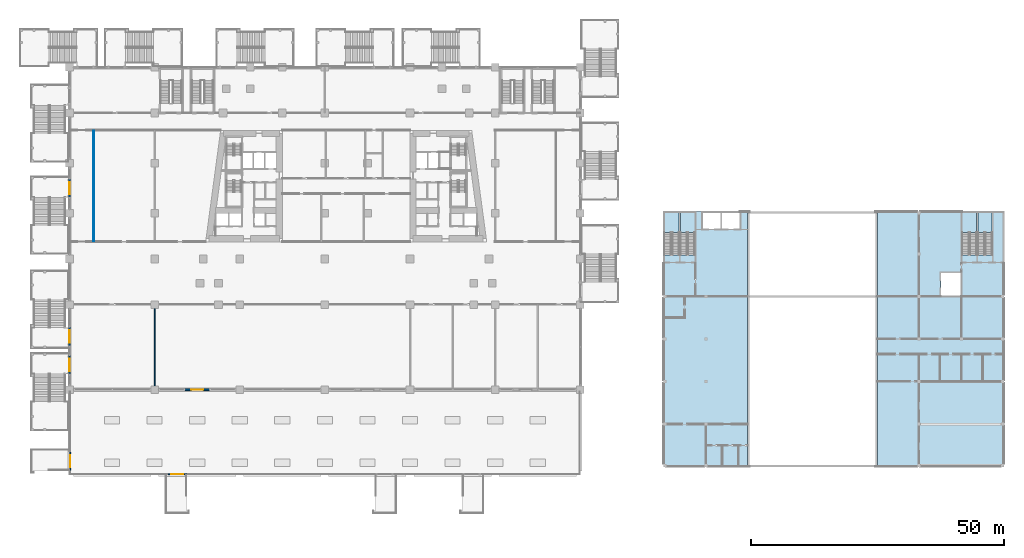
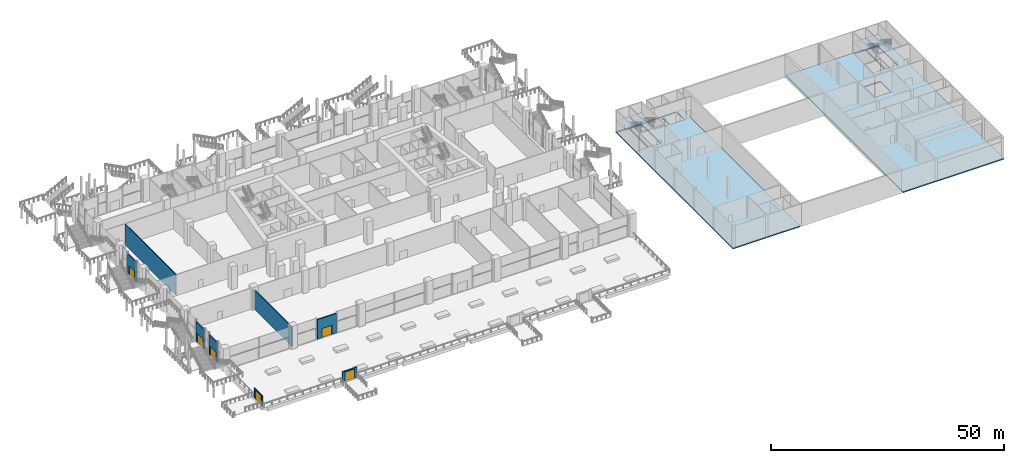
# One storey, part 19 of 47: 8 walls, 6 doors, 6 slabs, 6 openings, 4 elements without a shape of their own.
"""IFC4 building model written with IfcOpenShell, lengths in metres."""

from ifc_helpers import new_model, si_unit, direction, frame, frame_2d, origin, place, context, subcontext, project, spatial, polyline, rectangle, outline, extrude, material, layer, layer_set, type_object, element, fill, aggregate, save


model = new_model("IFC4")

# Units and contexts
model_context = context("Model", 3, precision=1e-05, world=origin(), true_north=direction((0.0, 1.0)))
body_context = subcontext(model_context, "Body", "Model", "MODEL_VIEW")
ifc_project = project(units=[si_unit("LENGTHUNIT", "METRE"), si_unit("AREAUNIT", "SQUARE_METRE"), si_unit("VOLUMEUNIT", "CUBIC_METRE"), si_unit("PLANEANGLEUNIT", "RADIAN"), si_unit("MASSUNIT", "GRAM", prefix="KILO")], contexts=[model_context])

# Site, building, storey
site_placement = place(None, origin())
site = spatial("IfcSite", under=ifc_project, at=site_placement, CompositionType="ELEMENT")
building_placement = place(site_placement, origin())
building = spatial("IfcBuilding", under=site, at=building_placement, Name="Candeia Pilgrim Tower and Theatre", CompositionType="ELEMENT")
storey_placement = place(building_placement, frame((0.0, 0.0, 23.0)))
storey = spatial("IfcBuildingStorey", under=building, at=storey_placement, Name="L03", CompositionType="ELEMENT", Elevation=23.0)

# Stair, slab
ifc_material_1 = material(Name="Concrete C35/45", Category="concrete")
stair_type = type_object("IfcStairType", Name="Theatre stair", PredefinedType="HALF_TURN_STAIR", material=ifc_material_1)
stair_1_placement = place(storey_placement, origin())
stair_1 = element("IfcStair", 1, at=stair_1_placement, inside=storey, type_object=stair_type, Name="L03 Theatre stair S1", PredefinedType="HALF_TURN_STAIR")
ifc_layer_1 = layer(ifc_material_1, 0.199951171875)
ifc_layer_set_1 = layer_set([ifc_layer_1], Name="Stair landing 200")
slab_type_1 = type_object("IfcSlabType", Name="Stair landing 200", PredefinedType="LANDING", material=ifc_layer_set_1)
slab_1_placement = place(storey_placement, frame((0.0, 0.0, 2.800048828125)))
slab_1 = element("IfcSlab", 2, at=slab_1_placement, type_object=slab_type_1, Name="TS1 landing 1", PredefinedType="LANDING", context=body_context, shape_type="SweptSolid", body=[
    extrude(outline(polyline([(179.10009765625, 112.2548828125), (179.10009765625, 116.14990234375), (176.125, 116.14990234375), (176.125, 112.2548828125), (179.10009765625, 112.2548828125)])), origin(), (0.0, 0.0, 1.0), 0.199951171875),
])
aggregate(stair_1, [slab_1])

stair_2_placement = place(storey_placement, origin())
stair_2 = element("IfcStair", 3, at=stair_2_placement, inside=storey, type_object=stair_type, Name="L03 Theatre stair S2", PredefinedType="HALF_TURN_STAIR")
slab_2_placement = place(storey_placement, frame((0.0, 0.0, 2.800048828125)))
slab_2 = element("IfcSlab", 4, at=slab_2_placement, type_object=slab_type_1, Name="TS2 landing 1", PredefinedType="LANDING", context=body_context, shape_type="SweptSolid", body=[
    extrude(outline(polyline([(182.199951171875, 112.2548828125), (182.199951171875, 116.14990234375), (179.35009765625, 116.14990234375), (179.35009765625, 112.2548828125), (182.199951171875, 112.2548828125)])), origin(), (0.0, 0.0, 1.0), 0.199951171875),
])
aggregate(stair_2, [slab_2])

stair_3_placement = place(storey_placement, origin())
stair_3 = element("IfcStair", 5, at=stair_3_placement, inside=storey, type_object=stair_type, Name="L03 Theatre stair S3", PredefinedType="HALF_TURN_STAIR")
slab_3_placement = place(storey_placement, frame((0.0, 0.0, 2.800048828125)))
slab_3 = element("IfcSlab", 6, at=slab_3_placement, type_object=slab_type_1, Name="TS3 landing 1", PredefinedType="LANDING", context=body_context, shape_type="SweptSolid", body=[
    extrude(outline(polyline([(237.77490234375, 112.2548828125), (237.77490234375, 116.14990234375), (234.925048828125, 116.14990234375), (234.925048828125, 112.2548828125), (237.77490234375, 112.2548828125)])), origin(), (0.0, 0.0, 1.0), 0.199951171875),
])
aggregate(stair_3, [slab_3])

stair_4_placement = place(storey_placement, origin())
stair_4 = element("IfcStair", 7, at=stair_4_placement, inside=storey, type_object=stair_type, Name="L03 Theatre stair S4", PredefinedType="HALF_TURN_STAIR")
slab_4_placement = place(storey_placement, frame((0.0, 0.0, 2.800048828125)))
slab_4 = element("IfcSlab", 8, at=slab_4_placement, type_object=slab_type_1, Name="TS4 landing 1", PredefinedType="LANDING", context=body_context, shape_type="SweptSolid", body=[
    extrude(outline(polyline([(240.875, 112.2548828125), (240.875, 116.14990234375), (238.02490234375, 116.14990234375), (238.02490234375, 112.2548828125), (240.875, 112.2548828125)])), origin(), (0.0, 0.0, 1.0), 0.199951171875),
])
aggregate(stair_4, [slab_4])

# Slabs
ifc_layer_2 = layer(ifc_material_1, 0.300048828125)
ifc_layer_set_2 = layer_set([ifc_layer_2], Name="Theatre floor slab 300")
slab_type_2 = type_object("IfcSlabType", Name="Theatre floor slab 300", PredefinedType="FLOOR", material=ifc_layer_set_2)
slab_5_placement = place(storey_placement, frame((0.0, 0.0, -0.300048828125)))
element("IfcSlab", 9, at=slab_5_placement, inside=storey, type_object=slab_type_2, Name="T-L03-F1", PredefinedType="FLOOR", context=body_context, shape_type="SweptSolid", body=[
    extrude(outline(polyline([(192.60009765625, 66.0), (176.0, 66.0), (176.0, 116.39990234375), (192.60009765625, 116.39990234375), (192.60009765625, 66.0)]), holes=[polyline([(179.10009765625, 116.14990234375), (176.125, 116.14990234375), (176.125, 107.794921875), (179.10009765625, 107.794921875), (179.10009765625, 116.14990234375)]), polyline([(182.199951171875, 107.794921875), (182.199951171875, 116.14990234375), (179.35009765625, 116.14990234375), (179.35009765625, 107.794921875), (182.199951171875, 107.794921875)]), polyline([(183.72509765625, 112.925048828125), (187.27490234375, 112.925048828125), (187.27490234375, 116.27490234375), (183.72509765625, 116.27490234375), (183.72509765625, 112.925048828125)]), polyline([(187.52490234375, 116.27490234375), (187.52490234375, 112.925048828125), (191.074951171875, 112.925048828125), (191.074951171875, 116.27490234375), (187.52490234375, 116.27490234375)])]), origin(), (0.0, 0.0, 1.0), 0.300048828125),
])
slab_6_placement = place(storey_placement, frame((0.0, 0.0, -0.300048828125)))
element("IfcSlab", 10, at=slab_6_placement, inside=storey, type_object=slab_type_2, Name="T-L03-F2", PredefinedType="FLOOR", context=body_context, shape_type="SweptSolid", body=[
    extrude(outline(polyline([(243.199951171875, 66.0), (218.199951171875, 66.0), (218.199951171875, 116.39990234375), (243.199951171875, 116.39990234375), (243.199951171875, 66.0)]), holes=[polyline([(234.925048828125, 107.794921875), (237.77490234375, 107.794921875), (237.77490234375, 116.14990234375), (234.925048828125, 116.14990234375), (234.925048828125, 107.794921875)]), polyline([(238.02490234375, 116.14990234375), (238.02490234375, 107.794921875), (240.875, 107.794921875), (240.875, 116.14990234375), (238.02490234375, 116.14990234375)]), polyline([(234.675048828125, 104.27490234375), (230.72509765625, 104.27490234375), (230.72509765625, 99.72509765625), (234.675048828125, 99.72509765625), (234.675048828125, 104.27490234375)])]), origin(), (0.0, 0.0, 1.0), 0.300048828125),
])

# Wall, opening, door
ifc_material_2 = material(Name="Ceramic block masonry", Category="masonry")
ifc_layer_3 = layer(ifc_material_2, 0.300048828125)
ifc_layer_set_3 = layer_set([ifc_layer_3], Name="EW2 entrance infill wall 300")
wall_type_1 = type_object("IfcWallType", Name="EW2 entrance infill wall 300", PredefinedType="SOLIDWALL", material=ifc_layer_set_3)
wall_1_placement = place(storey_placement, frame((58.800048828125, 84.300048828125, 0.0), z_axis=(0.0, 0.0, 1.0), x_axis=(0.0, 1.0, 0.0)))
wall_1 = element("IfcWall", 11, at=wall_1_placement, inside=storey, type_object=wall_type_1, Name="Entrance wall L03", PredefinedType="SOLIDWALL", context=body_context, shape_type="SweptSolid", body=[
    extrude(rectangle(XDim=3.599853515625, YDim=0.300048828125, at=frame_2d((1.7998046875, 0.0))), origin(), (0.0, 0.0, 1.0), 5.10009765625),
])
opening_1_placement = place(wall_1_placement, frame((0.60009765625, 0.0, 0.0)))
opening_1 = element("IfcOpeningElement", 12, at=opening_1_placement, cuts=wall_1, Name="Opening L03-ED059", PredefinedType="OPENING", context=body_context, shape_type="SweptSolid", body=[
    extrude(rectangle(XDim=2.39990234375, YDim=2.39990234375, at=frame_2d((1.199951171875, 1.199951171875))), frame((0.0, 0.16015625, 0.0), z_axis=(0.0, -1.0, 0.0), x_axis=(1.0, 0.0, 0.0)), (0.0, 0.0, 1.0), 0.320068359375),
])
ifc_material_3 = material(Name="Aluminium framed glazed door", Category="aluminium")
door_type = type_object("IfcDoorType", Name="ED entrance double door 2400x2400", OperationType="DOUBLE_DOOR_DOUBLE_SWING", PredefinedType="DOOR", material=ifc_material_3)
door_1_placement = place(opening_1_placement, origin())
door_1 = element("IfcDoor", 13, at=door_1_placement, inside=storey, type_object=door_type, Name="Entrance door L03-ED059", OperationType="DOUBLE_DOOR_DOUBLE_SWING", OverallHeight=2.39990234375, OverallWidth=2.39990234375, PredefinedType="DOOR", context=body_context, shape_type="SweptSolid", body=[
    extrude(rectangle(XDim=2.39990234375, YDim=2.39990234375, at=frame_2d((1.199951171875, 1.199951171875))), frame((0.0, 0.02490234375, 0.0), z_axis=(0.0, -1.0, 0.0), x_axis=(1.0, 0.0, 0.0)), (0.0, 0.0, 1.0), 0.050048828125),
])
fill(opening_1, door_1)

wall_2_placement = place(storey_placement, frame((58.800048828125, 89.89990234375, 0.0), z_axis=(0.0, 0.0, 1.0), x_axis=(0.0, 1.0, 0.0)))
wall_2 = element("IfcWall", 14, at=wall_2_placement, inside=storey, type_object=wall_type_1, Name="Entrance wall L03", PredefinedType="SOLIDWALL", context=body_context, shape_type="SweptSolid", body=[
    extrude(rectangle(XDim=3.60009765625, YDim=0.300048828125, at=frame_2d((1.800048828125, 0.0))), origin(), (0.0, 0.0, 1.0), 5.10009765625),
])
opening_2_placement = place(wall_2_placement, frame((0.60009765625, 0.0, 0.0)))
opening_2 = element("IfcOpeningElement", 15, at=opening_2_placement, cuts=wall_2, Name="Opening L03-ED060", PredefinedType="OPENING", context=body_context, shape_type="SweptSolid", body=[
    extrude(rectangle(XDim=2.39990234375, YDim=2.39990234375, at=frame_2d((1.199951171875, 1.199951171875))), frame((0.0, 0.16015625, 0.0), z_axis=(0.0, -1.0, 0.0), x_axis=(1.0, 0.0, 0.0)), (0.0, 0.0, 1.0), 0.320068359375),
])
door_2_placement = place(opening_2_placement, origin())
door_2 = element("IfcDoor", 16, at=door_2_placement, inside=storey, type_object=door_type, Name="Entrance door L03-ED060", OperationType="DOUBLE_DOOR_DOUBLE_SWING", OverallHeight=2.39990234375, OverallWidth=2.39990234375, PredefinedType="DOOR", context=body_context, shape_type="SweptSolid", body=[
    extrude(rectangle(XDim=2.39990234375, YDim=2.39990234375, at=frame_2d((1.199951171875, 1.199951171875))), frame((0.0, 0.02490234375, 0.0), z_axis=(0.0, -1.0, 0.0), x_axis=(1.0, 0.0, 0.0)), (0.0, 0.0, 1.0), 0.050048828125),
])
fill(opening_2, door_2)

wall_3_placement = place(storey_placement, frame((58.800048828125, 119.14990234375, 0.0), z_axis=(0.0, 0.0, 1.0), x_axis=(0.0, 1.0, 0.0)))
wall_3 = element("IfcWall", 17, at=wall_3_placement, inside=storey, type_object=wall_type_1, Name="Entrance wall L03", PredefinedType="SOLIDWALL", context=body_context, shape_type="SweptSolid", body=[
    extrude(rectangle(XDim=3.60009765625, YDim=0.300048828125, at=frame_2d((1.800048828125, 0.0))), origin(), (0.0, 0.0, 1.0), 5.10009765625),
])
opening_3_placement = place(wall_3_placement, frame((0.60009765625, 0.0, 0.0)))
opening_3 = element("IfcOpeningElement", 18, at=opening_3_placement, cuts=wall_3, Name="Opening L03-ED061", PredefinedType="OPENING", context=body_context, shape_type="SweptSolid", body=[
    extrude(rectangle(XDim=2.39990234375, YDim=2.39990234375, at=frame_2d((1.199951171875, 1.199951171875))), frame((0.0, 0.16015625, 0.0), z_axis=(0.0, -1.0, 0.0), x_axis=(1.0, 0.0, 0.0)), (0.0, 0.0, 1.0), 0.320068359375),
])
door_3_placement = place(opening_3_placement, origin())
door_3 = element("IfcDoor", 19, at=door_3_placement, inside=storey, type_object=door_type, Name="Entrance door L03-ED061", OperationType="DOUBLE_DOOR_DOUBLE_SWING", OverallHeight=2.39990234375, OverallWidth=2.39990234375, PredefinedType="DOOR", context=body_context, shape_type="SweptSolid", body=[
    extrude(rectangle(XDim=2.39990234375, YDim=2.39990234375, at=frame_2d((1.199951171875, 1.199951171875))), frame((0.0, 0.02490234375, 0.0), z_axis=(0.0, -1.0, 0.0), x_axis=(1.0, 0.0, 0.0)), (0.0, 0.0, 1.0), 0.050048828125),
])
fill(opening_3, door_3)

wall_4_placement = place(storey_placement, frame((86.39990234375, 81.199951171875, 0.0), z_axis=(0.0, 0.0, 1.0), x_axis=(-1.0, 0.0, 0.0)))
wall_4 = element("IfcWall", 20, at=wall_4_placement, inside=storey, type_object=wall_type_1, Name="Entrance wall L03", PredefinedType="SOLIDWALL", context=body_context, shape_type="SweptSolid", body=[
    extrude(rectangle(XDim=4.7998046875, YDim=0.300048828125, at=frame_2d((2.39990234375, 0.0))), origin(), (0.0, 0.0, 1.0), 5.10009765625),
])
opening_4_placement = place(wall_4_placement, frame((1.199951171875, 0.0, 0.0)))
opening_4 = element("IfcOpeningElement", 21, at=opening_4_placement, cuts=wall_4, Name="Opening L03-ED073", PredefinedType="OPENING", context=body_context, shape_type="SweptSolid", body=[
    extrude(rectangle(XDim=2.39990234375, YDim=2.39990234375, at=frame_2d((1.199951171875, 1.199951171875))), frame((0.0, 0.16015625, 0.0), z_axis=(0.0, -1.0, 0.0), x_axis=(1.0, 0.0, 0.0)), (0.0, 0.0, 1.0), 0.320068359375),
])
door_4_placement = place(opening_4_placement, origin())
door_4 = element("IfcDoor", 22, at=door_4_placement, inside=storey, type_object=door_type, Name="Entrance door L03-ED073", OperationType="DOUBLE_DOOR_DOUBLE_SWING", OverallHeight=2.39990234375, OverallWidth=2.39990234375, PredefinedType="DOOR", context=body_context, shape_type="SweptSolid", body=[
    extrude(rectangle(XDim=2.39990234375, YDim=2.39990234375, at=frame_2d((1.199951171875, 1.199951171875))), frame((0.0, 0.02490234375, 0.0), z_axis=(0.0, -1.0, 0.0), x_axis=(1.0, 0.0, 0.0)), (0.0, 0.0, 1.0), 0.050048828125),
])
fill(opening_4, door_4)

ifc_layer_4 = layer(ifc_material_1, 0.199951171875)
ifc_layer_set_4 = layer_set([ifc_layer_4], Name="Escape stair gate wall 200")
wall_type_2 = type_object("IfcWallType", Name="Escape stair gate wall 200", PredefinedType="SOLIDWALL", material=ifc_layer_set_4)
wall_5_placement = place(storey_placement, frame((81.89990234375, 64.550048828125, 0.0), z_axis=(0.0, 0.0, 1.0), x_axis=(-1.0, 0.0, 0.0)))
wall_5 = element("IfcWall", 23, at=wall_5_placement, inside=storey, type_object=wall_type_2, Name="L03 External escape stair ES8 terrace gate wall", PredefinedType="SOLIDWALL", context=body_context, shape_type="SweptSolid", body=[
    extrude(rectangle(XDim=3.599853515625, YDim=0.199951171875, at=frame_2d((1.7998046875, 0.0))), origin(), (0.0, 0.0, 1.0), 2.699951171875),
])
opening_5_placement = place(wall_5_placement, frame((0.60009765625, 0.0, 0.0)))
opening_5 = element("IfcOpeningElement", 24, at=opening_5_placement, cuts=wall_5, Name="Opening XD-8-03", PredefinedType="OPENING", context=body_context, shape_type="SweptSolid", body=[
    extrude(rectangle(XDim=2.39990234375, YDim=2.39990234375, at=frame_2d((1.199951171875, 1.199951171875))), frame((0.0, 0.10986328125, 0.0), z_axis=(0.0, -1.0, 0.0), x_axis=(1.0, 0.0, 0.0)), (0.0, 0.0, 1.0), 0.219970703125),
])
door_5_placement = place(opening_5_placement, origin())
door_5 = element("IfcDoor", 25, at=door_5_placement, inside=storey, type_object=door_type, Name="Terrace gate door ES8 L03", OperationType="DOUBLE_DOOR_DOUBLE_SWING", OverallHeight=2.39990234375, OverallWidth=2.39990234375, PredefinedType="DOOR", context=body_context, shape_type="SweptSolid", body=[
    extrude(rectangle(XDim=2.39990234375, YDim=2.39990234375, at=frame_2d((1.199951171875, 1.199951171875))), frame((0.0, 0.02490234375, 0.0), z_axis=(0.0, -1.0, 0.0), x_axis=(1.0, 0.0, 0.0)), (0.0, 0.0, 1.0), 0.050048828125),
])
fill(opening_5, door_5)

wall_6_placement = place(storey_placement, frame((58.949951171875, 65.300048828125, 0.0), z_axis=(0.0, 0.0, 1.0), x_axis=(0.0, 1.0, 0.0)))
wall_6 = element("IfcWall", 26, at=wall_6_placement, inside=storey, type_object=wall_type_2, Name="L03 External escape stair ES10 terrace gate wall", PredefinedType="SOLIDWALL", context=body_context, shape_type="SweptSolid", body=[
    extrude(rectangle(XDim=3.599853515625, YDim=0.199951171875, at=frame_2d((1.7998046875, 0.0))), origin(), (0.0, 0.0, 1.0), 2.699951171875),
])
opening_6_placement = place(wall_6_placement, frame((0.60009765625, 0.0, 0.0)))
opening_6 = element("IfcOpeningElement", 27, at=opening_6_placement, cuts=wall_6, Name="Opening XD-10-03", PredefinedType="OPENING", context=body_context, shape_type="SweptSolid", body=[
    extrude(rectangle(XDim=2.39990234375, YDim=2.39990234375, at=frame_2d((1.199951171875, 1.199951171875))), frame((0.0, 0.10986328125, 0.0), z_axis=(0.0, -1.0, 0.0), x_axis=(1.0, 0.0, 0.0)), (0.0, 0.0, 1.0), 0.219970703125),
])
door_6_placement = place(opening_6_placement, origin())
door_6 = element("IfcDoor", 28, at=door_6_placement, inside=storey, type_object=door_type, Name="Terrace gate door ES10 L03", OperationType="DOUBLE_DOOR_DOUBLE_SWING", OverallHeight=2.39990234375, OverallWidth=2.39990234375, PredefinedType="DOOR", context=body_context, shape_type="SweptSolid", body=[
    extrude(rectangle(XDim=2.39990234375, YDim=2.39990234375, at=frame_2d((1.199951171875, 1.199951171875))), frame((0.0, 0.02490234375, 0.0), z_axis=(0.0, -1.0, 0.0), x_axis=(1.0, 0.0, 0.0)), (0.0, 0.0, 1.0), 0.050048828125),
])
fill(opening_6, door_6)

# Walls
ifc_material_4 = material(Name="Gypsum board partition on steel studs", Category="steel")
ifc_layer_5 = layer(ifc_material_4, 0.14990234375)
ifc_layer_set_5 = layer_set([ifc_layer_5], Name="PW-150 unit wall")
wall_type_3 = type_object("IfcWallType", Name="PW-150 unit wall", PredefinedType="PARTITIONING", material=ifc_layer_set_5)
wall_7_placement = place(storey_placement, frame((63.60009765625, 110.47509765625, 0.0), z_axis=(0.0, 0.0, 1.0), x_axis=(0.0, 1.0, 0.0)))
element("IfcWall", 29, at=wall_7_placement, inside=storey, type_object=wall_type_3, Name="Unit wall L03-044", PredefinedType="PARTITIONING", context=body_context, shape_type="SweptSolid", body=[
    extrude(rectangle(XDim=21.849853515625, YDim=0.14990234375, at=frame_2d((10.9248046875, 0.0))), origin(), (0.0, 0.0, 1.0), 5.5),
])
ifc_layer_6 = layer(ifc_material_4, 0.199951171875)
ifc_layer_set_6 = layer_set([ifc_layer_6], Name="PW-200 party wall")
wall_type_4 = type_object("IfcWallType", Name="PW-200 party wall", PredefinedType="PARTITIONING", material=ifc_layer_set_6)
wall_8_placement = place(storey_placement, frame((75.60009765625, 81.25, 0.0), z_axis=(0.0, 0.0, 1.0), x_axis=(0.0, 1.0, 0.0)))
element("IfcWall", 30, at=wall_8_placement, inside=storey, type_object=wall_type_4, Name="Party wall L03-045", PredefinedType="PARTITIONING", context=body_context, shape_type="SweptSolid", body=[
    extrude(rectangle(XDim=16.675048828125, YDim=0.199951171875, at=frame_2d((8.33740234375, 0.0))), origin(), (0.0, 0.0, 1.0), 5.10009765625),
])

save(model, "model.ifc")
